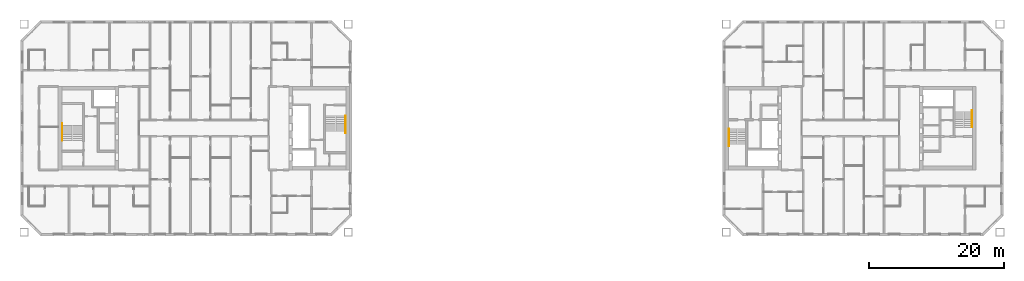
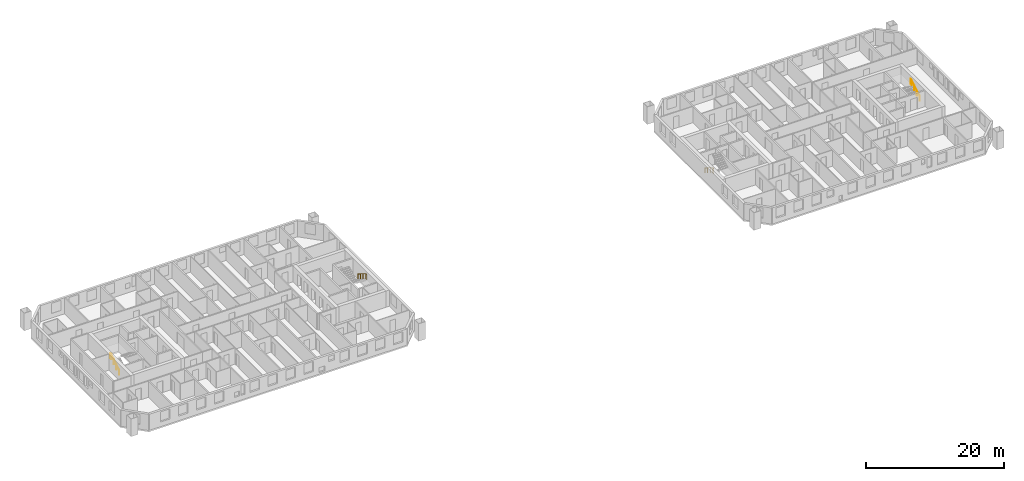
# One storey, part 16 of 16: 4 railings.
"""IFC4 building model written with IfcOpenShell, lengths in metres."""

from ifc_helpers import new_model, si_unit, direction, frame, origin, origin_2d, place, context, subcontext, project, spatial, circle, extrude, material, type_object, element, save


model = new_model("IFC4")

# Units and contexts
model_context = context("Model", 3, precision=1e-05, world=origin(), true_north=direction((0.0, 1.0)))
body_context = subcontext(model_context, "Body", "Model", "MODEL_VIEW")
ifc_project = project(units=[si_unit("LENGTHUNIT", "METRE"), si_unit("AREAUNIT", "SQUARE_METRE"), si_unit("VOLUMEUNIT", "CUBIC_METRE"), si_unit("PLANEANGLEUNIT", "RADIAN"), si_unit("MASSUNIT", "GRAM", prefix="KILO")], contexts=[model_context])

# Site, building, storey
site_placement = place(None, origin())
site = spatial("IfcSite", under=ifc_project, at=site_placement, CompositionType="ELEMENT")
building_placement = place(site_placement, origin())
building = spatial("IfcBuilding", under=site, at=building_placement, Name="Tuart Gate Housing", CompositionType="ELEMENT")
storey_placement = place(building_placement, frame((0.0, 0.0, 133.0)))
storey = spatial("IfcBuildingStorey", under=building, at=storey_placement, Name="L37", CompositionType="ELEMENT", Elevation=133.0)

# Railings
ifc_material = material(Name="Stainless steel", Category="steel")
railing_type = type_object("IfcRailingType", Name="Stair handrail 900", PredefinedType="HANDRAIL", material=ifc_material)
railing_1_placement = place(storey_placement, frame((75.030029296875, 71.824951171875, 0.172119140625)))
element("IfcRailing", 1, at=railing_1_placement, inside=storey, type_object=railing_type, Name="Stair handrail SA1.1", PredefinedType="HANDRAIL", context=body_context, shape_type="SweptSolid", body=[
    extrude(circle(Radius=0.02392578125, at=origin_2d()), frame((0.0, 0.0, 0.8759765625), z_axis=(0.0, -0.851747552033, 0.523952390591), x_axis=(1.0, 0.0, 0.0)), (0.0, 0.0, 1.0), 2.6298828125),
    extrude(circle(Radius=0.02392578125, at=origin_2d()), frame((0.0, -2.239990234375, 2.25390625), z_axis=(0.0, -1.0, 0.0), x_axis=(1.0, 0.0, 0.0)), (0.0, 0.0, 1.0), 0.300048828125),
    extrude(circle(Radius=0.02099609375, at=origin_2d()), origin(), (0.0, 0.0, 1.0), 0.851806640625),
    extrude(circle(Radius=0.02099609375, at=origin_2d()), frame((0.0, -0.74658203125, 0.459228515625)), (0.0, 0.0, 1.0), 0.851806640625),
    extrude(circle(Radius=0.02099609375, at=origin_2d()), frame((0.0, -1.493408203125, 0.918701171875)), (0.0, 0.0, 1.0), 0.851806640625),
    extrude(circle(Radius=0.02099609375, at=origin_2d()), frame((0.0, -2.239990234375, 1.3779296875)), (0.0, 0.0, 1.0), 0.851806640625),
    extrude(circle(Radius=0.02099609375, at=origin_2d()), frame((0.0, -2.5400390625, 1.3779296875)), (0.0, 0.0, 1.0), 0.851806640625),
])
railing_2_placement = place(storey_placement, frame((32.969970703125, 68.175048828125, 0.172119140625)))
element("IfcRailing", 2, at=railing_2_placement, inside=storey, type_object=railing_type, Name="Stair handrail SA2.1", PredefinedType="HANDRAIL", context=body_context, shape_type="SweptSolid", body=[
    extrude(circle(Radius=0.02392578125, at=origin_2d()), frame((0.0, 0.0, 0.8759765625), z_axis=(0.0, 0.851747552033, 0.523952390591), x_axis=(-1.0, 0.0, 0.0)), (0.0, 0.0, 1.0), 2.6298828125),
    extrude(circle(Radius=0.02392578125, at=origin_2d()), frame((0.0, 2.239990234375, 2.25390625), z_axis=(0.0, 1.0, 0.0), x_axis=(-1.0, 0.0, 0.0)), (0.0, 0.0, 1.0), 0.300048828125),
    extrude(circle(Radius=0.02099609375, at=origin_2d()), origin(), (0.0, 0.0, 1.0), 0.851806640625),
    extrude(circle(Radius=0.02099609375, at=origin_2d()), frame((0.0, 0.74658203125, 0.459228515625)), (0.0, 0.0, 1.0), 0.851806640625),
    extrude(circle(Radius=0.02099609375, at=origin_2d()), frame((0.0, 1.493408203125, 0.918701171875)), (0.0, 0.0, 1.0), 0.851806640625),
    extrude(circle(Radius=0.02099609375, at=origin_2d()), frame((0.0, 2.239990234375, 1.3779296875)), (0.0, 0.0, 1.0), 0.851806640625),
    extrude(circle(Radius=0.02099609375, at=origin_2d()), frame((0.0, 2.5400390625, 1.3779296875)), (0.0, 0.0, 1.0), 0.851806640625),
])
railing_3_placement = place(storey_placement, frame((131.969970703125, 69.875, 0.172119140625)))
element("IfcRailing", 3, at=railing_3_placement, inside=storey, type_object=railing_type, Name="Stair handrail SB1.1", PredefinedType="HANDRAIL", context=body_context, shape_type="SweptSolid", body=[
    extrude(circle(Radius=0.02392578125, at=origin_2d()), frame((0.0, 0.0, 0.8759765625), z_axis=(0.0, -0.851747552033, 0.523952390591), x_axis=(1.0, 0.0, 0.0)), (0.0, 0.0, 1.0), 2.6298828125),
    extrude(circle(Radius=0.02392578125, at=origin_2d()), frame((0.0, -2.239990234375, 2.25390625), z_axis=(0.0, -1.0, 0.0), x_axis=(1.0, 0.0, 0.0)), (0.0, 0.0, 1.0), 0.300048828125),
    extrude(circle(Radius=0.02099609375, at=origin_2d()), origin(), (0.0, 0.0, 1.0), 0.851806640625),
    extrude(circle(Radius=0.02099609375, at=origin_2d()), frame((0.0, -0.74658203125, 0.459228515625)), (0.0, 0.0, 1.0), 0.851806640625),
    extrude(circle(Radius=0.02099609375, at=origin_2d()), frame((0.0, -1.493408203125, 0.918701171875)), (0.0, 0.0, 1.0), 0.851806640625),
    extrude(circle(Radius=0.02099609375, at=origin_2d()), frame((0.0, -2.239990234375, 1.3779296875)), (0.0, 0.0, 1.0), 0.851806640625),
    extrude(circle(Radius=0.02099609375, at=origin_2d()), frame((0.0, -2.5400390625, 1.3779296875)), (0.0, 0.0, 1.0), 0.851806640625),
])
railing_4_placement = place(storey_placement, frame((168.030029296875, 70.125, 0.172119140625)))
element("IfcRailing", 4, at=railing_4_placement, inside=storey, type_object=railing_type, Name="Stair handrail SB2.1", PredefinedType="HANDRAIL", context=body_context, shape_type="SweptSolid", body=[
    extrude(circle(Radius=0.02392578125, at=origin_2d()), frame((0.0, 0.0, 0.8759765625), z_axis=(0.0, 0.851747552033, 0.523952390591), x_axis=(-1.0, 0.0, 0.0)), (0.0, 0.0, 1.0), 2.6298828125),
    extrude(circle(Radius=0.02392578125, at=origin_2d()), frame((0.0, 2.239990234375, 2.25390625), z_axis=(0.0, 1.0, 0.0), x_axis=(-1.0, 0.0, 0.0)), (0.0, 0.0, 1.0), 0.300048828125),
    extrude(circle(Radius=0.02099609375, at=origin_2d()), origin(), (0.0, 0.0, 1.0), 0.851806640625),
    extrude(circle(Radius=0.02099609375, at=origin_2d()), frame((0.0, 0.74658203125, 0.459228515625)), (0.0, 0.0, 1.0), 0.851806640625),
    extrude(circle(Radius=0.02099609375, at=origin_2d()), frame((0.0, 1.493408203125, 0.918701171875)), (0.0, 0.0, 1.0), 0.851806640625),
    extrude(circle(Radius=0.02099609375, at=origin_2d()), frame((0.0, 2.239990234375, 1.3779296875)), (0.0, 0.0, 1.0), 0.851806640625),
    extrude(circle(Radius=0.02099609375, at=origin_2d()), frame((0.0, 2.5400390625, 1.3779296875)), (0.0, 0.0, 1.0), 0.851806640625),
])

save(model, "model.ifc")
